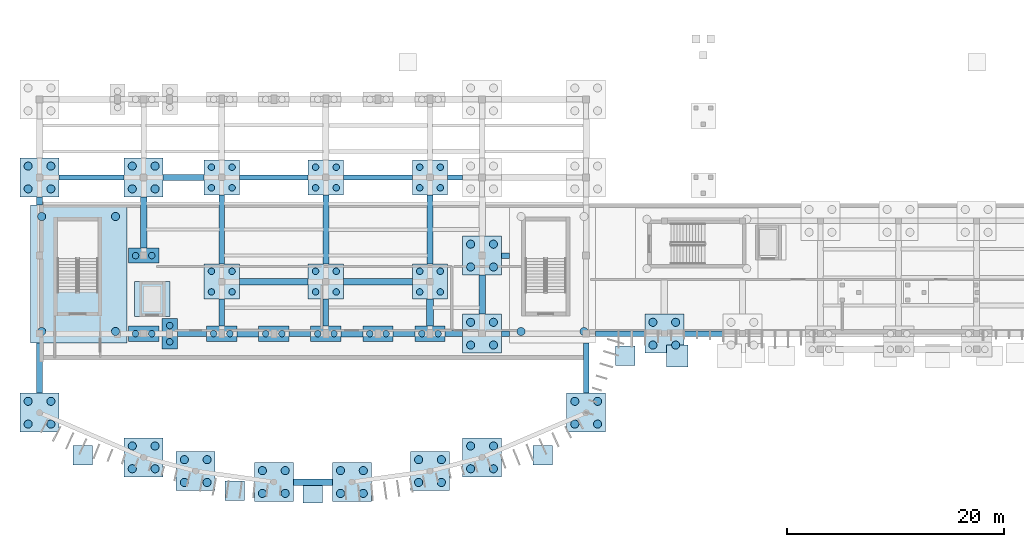
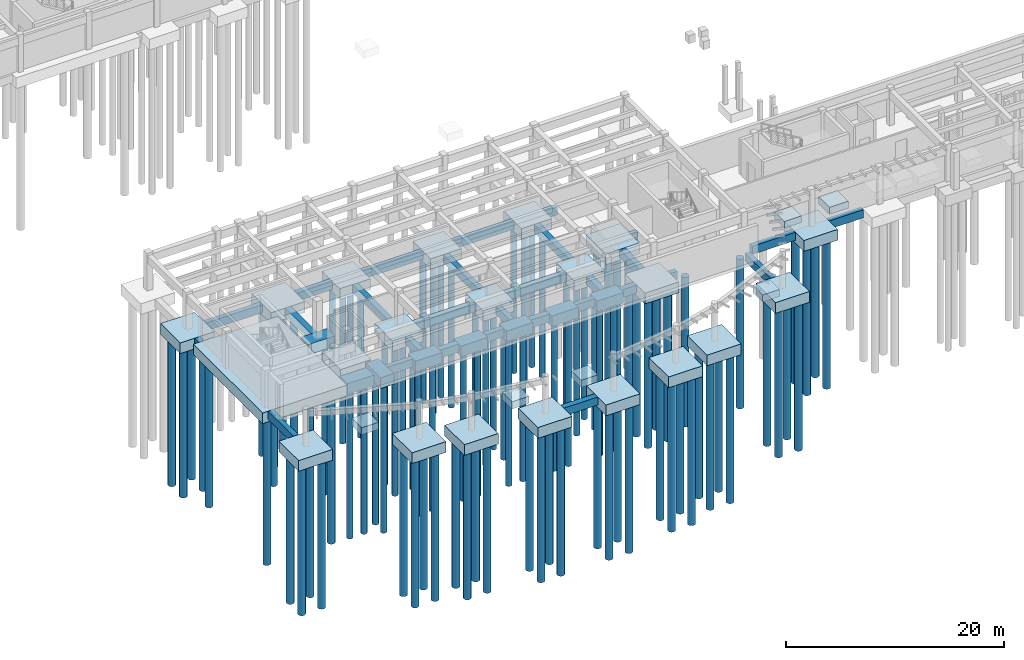
# One storey, part 1 of 31: 98 piles, 64 footings.
"""IFC4 building model written with IfcOpenShell, lengths in metres."""

from ifc_helpers import new_model, si_unit, direction, frame, origin, origin_2d, place, context, subcontext, project, spatial, rectangle, circle, extrude, material, material_profile, profile_set, type_object, element, save


model = new_model("IFC4")

# Units and contexts
model_context = context("Model", 3, precision=1e-05, world=origin(), true_north=direction((0.0, 1.0)))
body_context = subcontext(model_context, "Body", "Model", "MODEL_VIEW")
ifc_project = project(units=[si_unit("LENGTHUNIT", "METRE"), si_unit("AREAUNIT", "SQUARE_METRE"), si_unit("VOLUMEUNIT", "CUBIC_METRE"), si_unit("PLANEANGLEUNIT", "RADIAN"), si_unit("MASSUNIT", "GRAM", prefix="KILO")], contexts=[model_context])

# Site, building, storey
site_placement = place(None, origin())
site = spatial("IfcSite", under=ifc_project, at=site_placement, CompositionType="ELEMENT")
building_placement = place(site_placement, origin())
building = spatial("IfcBuilding", under=site, at=building_placement, Name="Brisavento Harbour Community Centre", CompositionType="ELEMENT")
storey_placement = place(building_placement, frame((0.0, 0.0, -4.199951171875)))
storey = spatial("IfcBuildingStorey", under=building, at=storey_placement, Name="B1", CompositionType="ELEMENT", Elevation=-4.199951171875)

# Footings
ifc_material = material(Name="Concrete C35/45", Category="concrete")
footing_type_1 = type_object("IfcFootingType", Name="FTG-GB-01", PredefinedType="FOOTING_BEAM", material=ifc_material)
footing_1_placement = place(storey_placement, frame((50.39990234375, 11.232177734375, -0.89990234375), z_axis=(0.0, 0.0, 1.0), x_axis=(1.0, 0.0, 0.0)))
element("IfcFooting", 1, at=footing_1_placement, inside=storey, type_object=footing_type_1, Name="Ground tie beam GB-003", PredefinedType="FOOTING_BEAM", context=body_context, shape_type="SweptSolid", body=[
    extrude(rectangle(XDim=0.5, YDim=4.6357421875, at=origin_2d()), origin(), (0.0, 0.0, 1.0), 0.89990234375),
])
footing_2_placement = place(storey_placement, frame((4.800048828125, 28.800048828125, -0.89990234375), z_axis=(0.0, 0.0, 1.0), x_axis=(1.0, 0.0, 0.0)))
element("IfcFooting", 2, at=footing_2_placement, inside=storey, type_object=footing_type_1, Name="Ground tie beam GB-006", PredefinedType="FOOTING_BEAM", context=body_context, shape_type="SweptSolid", body=[
    extrude(rectangle(XDim=6.0, YDim=0.5, at=origin_2d()), origin(), (0.0, 0.0, 1.0), 0.89990234375),
])
for number, where, z_axis, x_axis, name in (
    (3, (42.97509765625, 14.39990234375, -0.89990234375), (0.0, 0.0, 1.0), (1.0, 0.0, 0.0), "Ground tie beam GB-012"),
    (4, (42.97509765625, 21.60009765625, -0.89990234375), (0.0, 0.0, 1.0), (1.0, 0.0, 0.0), "Ground tie beam GB-015"),
):
    element("IfcFooting", number, at=place(storey_placement, frame(where, z_axis=z_axis, x_axis=x_axis)), inside=storey, type_object=footing_type_1, Name=name, PredefinedType="FOOTING_BEAM", context=body_context, shape_type="SweptSolid", body=[
        extrude(rectangle(XDim=0.75, YDim=0.5, at=origin_2d()), origin(), (0.0, 0.0, 1.0), 0.89990234375),
    ])
footing_3_placement = place(storey_placement, frame((38.3125, 28.800048828125, -0.89990234375), z_axis=(0.0, 0.0, 1.0), x_axis=(1.0, 0.0, 0.0)))
element("IfcFooting", 5, at=footing_3_placement, inside=storey, type_object=footing_type_1, Name="Ground tie beam GB-018", PredefinedType="FOOTING_BEAM", context=body_context, shape_type="SweptSolid", body=[
    extrude(rectangle(XDim=1.375, YDim=0.5, at=origin_2d()), origin(), (0.0, 0.0, 1.0), 0.89990234375),
])
footing_4_placement = place(storey_placement, frame((53.52490234375, 14.39990234375, -0.89990234375), z_axis=(0.0, 0.0, 1.0), x_axis=(1.0, 0.0, 0.0)))
element("IfcFooting", 6, at=footing_4_placement, inside=storey, type_object=footing_type_1, Name="Ground tie beam GB-021", PredefinedType="FOOTING_BEAM", context=body_context, shape_type="SweptSolid", body=[
    extrude(rectangle(XDim=4.550048828125, YDim=0.5, at=origin_2d()), origin(), (0.0, 0.0, 1.0), 0.89990234375),
])
footing_5_placement = place(storey_placement, frame((14.050048828125, 14.39990234375, -0.89990234375), z_axis=(0.0, 0.0, 1.0), x_axis=(1.0, 0.0, 0.0)))
element("IfcFooting", 7, at=footing_5_placement, inside=storey, type_object=footing_type_1, Name="Ground tie beam GB-024", PredefinedType="FOOTING_BEAM", context=body_context, shape_type="SweptSolid", body=[
    extrude(rectangle(XDim=2.699951171875, YDim=0.5, at=origin_2d()), origin(), (0.0, 0.0, 1.0), 0.89990234375),
])
footing_6_placement = place(storey_placement, frame((16.800048828125, 16.33740234375, -0.89990234375), z_axis=(0.0, 0.0, 1.0), x_axis=(1.0, 0.0, 0.0)))
element("IfcFooting", 8, at=footing_6_placement, inside=storey, type_object=footing_type_1, Name="Ground tie beam GB-027", PredefinedType="FOOTING_BEAM", context=body_context, shape_type="SweptSolid", body=[
    extrude(rectangle(XDim=0.5, YDim=2.47509765625, at=origin_2d()), origin(), (0.0, 0.0, 1.0), 0.89990234375),
])
footing_7_placement = place(storey_placement, frame((24.0, 14.39990234375, -0.89990234375), z_axis=(0.0, 0.0, 1.0), x_axis=(1.0, 0.0, 0.0)))
element("IfcFooting", 9, at=footing_7_placement, inside=storey, type_object=footing_type_1, Name="Ground tie beam GB-030", PredefinedType="FOOTING_BEAM", context=body_context, shape_type="SweptSolid", body=[
    extrude(rectangle(XDim=2.0, YDim=0.5, at=origin_2d()), origin(), (0.0, 0.0, 1.0), 0.89990234375),
])
footing_8_placement = place(storey_placement, frame((26.39990234375, 16.33740234375, -0.89990234375), z_axis=(0.0, 0.0, 1.0), x_axis=(1.0, 0.0, 0.0)))
element("IfcFooting", 10, at=footing_8_placement, inside=storey, type_object=footing_type_1, Name="Ground tie beam GB-033", PredefinedType="FOOTING_BEAM", context=body_context, shape_type="SweptSolid", body=[
    extrude(rectangle(XDim=0.5, YDim=2.47509765625, at=origin_2d()), origin(), (0.0, 0.0, 1.0), 0.89990234375),
])
footing_9_placement = place(storey_placement, frame((33.60009765625, 14.39990234375, -0.89990234375), z_axis=(0.0, 0.0, 1.0), x_axis=(1.0, 0.0, 0.0)))
element("IfcFooting", 11, at=footing_9_placement, inside=storey, type_object=footing_type_1, Name="Ground tie beam GB-036", PredefinedType="FOOTING_BEAM", context=body_context, shape_type="SweptSolid", body=[
    extrude(rectangle(XDim=2.0, YDim=0.5, at=origin_2d()), origin(), (0.0, 0.0, 1.0), 0.89990234375),
])
for number, where, z_axis, x_axis, name in (
    (12, (21.60009765625, 28.800048828125, -0.89990234375), (0.0, 0.0, 1.0), (1.0, 0.0, 0.0), "Ground tie beam GB-042"),
    (13, (31.199951171875, 28.800048828125, -0.89990234375), (0.0, 0.0, 1.0), (1.0, 0.0, 0.0), "Ground tie beam GB-045"),
):
    element("IfcFooting", number, at=place(storey_placement, frame(where, z_axis=z_axis, x_axis=x_axis)), inside=storey, type_object=footing_type_1, Name=name, PredefinedType="FOOTING_BEAM", context=body_context, shape_type="SweptSolid", body=[
        extrude(rectangle(XDim=6.35009765625, YDim=0.5, at=origin_2d()), origin(), (0.0, 0.0, 1.0), 0.89990234375),
    ])
footing_10_placement = place(storey_placement, frame((61.199951171875, 14.39990234375, -0.89990234375), z_axis=(0.0, 0.0, 1.0), x_axis=(1.0, 0.0, 0.0)))
element("IfcFooting", 14, at=footing_10_placement, inside=storey, type_object=footing_type_1, Name="Ground tie beam GB-048", PredefinedType="FOOTING_BEAM", context=body_context, shape_type="SweptSolid", body=[
    extrude(rectangle(XDim=3.60009765625, YDim=0.5, at=origin_2d()), origin(), (0.0, 0.0, 1.0), 0.89990234375),
])
footing_type_2 = type_object("IfcFootingType", Name="FTG-GB-02", PredefinedType="FOOTING_BEAM", material=ifc_material)
footing_11_placement = place(storey_placement, frame((0.0, 11.232177734375, -0.89990234375), z_axis=(0.0, 0.0, 1.0), x_axis=(1.0, 0.0, 0.0)))
element("IfcFooting", 15, at=footing_11_placement, inside=storey, type_object=footing_type_2, Name="Ground tie beam GB-001", PredefinedType="FOOTING_BEAM", context=body_context, shape_type="SweptSolid", body=[
    extrude(rectangle(XDim=0.550048828125, YDim=4.6357421875, at=origin_2d()), origin(), (0.0, 0.0, 1.0), 0.89990234375),
])
footing_12_placement = place(storey_placement, frame((0.0, 26.625, -0.89990234375), z_axis=(0.0, 0.0, 1.0), x_axis=(1.0, 0.0, 0.0)))
element("IfcFooting", 16, at=footing_12_placement, inside=storey, type_object=footing_type_2, Name="Ground tie beam GB-004", PredefinedType="FOOTING_BEAM", context=body_context, shape_type="SweptSolid", body=[
    extrude(rectangle(XDim=0.550048828125, YDim=0.75, at=origin_2d()), origin(), (0.0, 0.0, 1.0), 0.89990234375),
])
footing_13_placement = place(storey_placement, frame((13.28759765625, 28.800048828125, -0.89990234375), z_axis=(0.0, 0.0, 1.0), x_axis=(1.0, 0.0, 0.0)))
element("IfcFooting", 17, at=footing_13_placement, inside=storey, type_object=footing_type_2, Name="Ground tie beam GB-010", PredefinedType="FOOTING_BEAM", context=body_context, shape_type="SweptSolid", body=[
    extrude(rectangle(XDim=3.77490234375, YDim=0.550048828125, at=origin_2d()), origin(), (0.0, 0.0, 1.0), 0.89990234375),
])
footing_14_placement = place(storey_placement, frame((38.199951171875, 14.39990234375, -0.89990234375), z_axis=(0.0, 0.0, 1.0), x_axis=(1.0, 0.0, 0.0)))
element("IfcFooting", 18, at=footing_14_placement, inside=storey, type_object=footing_type_2, Name="Ground tie beam GB-013", PredefinedType="FOOTING_BEAM", context=body_context, shape_type="SweptSolid", body=[
    extrude(rectangle(XDim=1.60009765625, YDim=0.550048828125, at=origin_2d()), origin(), (0.0, 0.0, 1.0), 0.89990234375),
])
for number, where, z_axis, x_axis, name in (
    (19, (16.800048828125, 24.0, -0.89990234375), (0.0, 0.0, 1.0), (1.0, 0.0, 0.0), "Ground tie beam GB-040"),
    (20, (26.39990234375, 24.0, -0.89990234375), (0.0, 0.0, 1.0), (1.0, 0.0, 0.0), "Ground tie beam GB-043"),
    (21, (36.0, 24.0, -0.89990234375), (0.0, 0.0, 1.0), (1.0, 0.0, 0.0), "Ground tie beam GB-046"),
):
    element("IfcFooting", number, at=place(storey_placement, frame(where, z_axis=z_axis, x_axis=x_axis)), inside=storey, type_object=footing_type_2, Name=name, PredefinedType="FOOTING_BEAM", context=body_context, shape_type="SweptSolid", body=[
        extrude(rectangle(XDim=0.550048828125, YDim=6.35009765625, at=origin_2d()), origin(), (0.0, 0.0, 1.0), 0.89990234375),
    ])
footing_type_3 = type_object("IfcFootingType", Name="FTG-GB-03", PredefinedType="FOOTING_BEAM", material=ifc_material)
footing_15_placement = place(storey_placement, frame((25.199951171875, 0.724853515625, -0.89990234375), z_axis=(0.0, 0.0, 1.0), x_axis=(1.0, 0.0, 0.0)))
element("IfcFooting", 22, at=footing_15_placement, inside=storey, type_object=footing_type_3, Name="Ground tie beam GB-002", PredefinedType="FOOTING_BEAM", context=body_context, shape_type="SweptSolid", body=[
    extrude(rectangle(XDim=3.60009765625, YDim=0.60009765625, at=origin_2d()), origin(), (0.0, 0.0, 1.0), 0.89990234375),
])
footing_16_placement = place(storey_placement, frame((9.60009765625, 24.64990234375, -0.89990234375), z_axis=(0.0, 0.0, 1.0), x_axis=(1.0, 0.0, 0.0)))
element("IfcFooting", 23, at=footing_16_placement, inside=storey, type_object=footing_type_3, Name="Ground tie beam GB-008", PredefinedType="FOOTING_BEAM", context=body_context, shape_type="SweptSolid", body=[
    extrude(rectangle(XDim=0.60009765625, YDim=4.699951171875, at=origin_2d()), origin(), (0.0, 0.0, 1.0), 0.89990234375),
])
footing_17_placement = place(storey_placement, frame((40.800048828125, 18.0, -0.89990234375), z_axis=(0.0, 0.0, 1.0), x_axis=(1.0, 0.0, 0.0)))
element("IfcFooting", 24, at=footing_17_placement, inside=storey, type_object=footing_type_3, Name="Ground tie beam GB-011", PredefinedType="FOOTING_BEAM", context=body_context, shape_type="SweptSolid", body=[
    extrude(rectangle(XDim=0.60009765625, YDim=3.60009765625, at=origin_2d()), origin(), (0.0, 0.0, 1.0), 0.89990234375),
])
for number, where, z_axis, x_axis, name in (
    (25, (19.199951171875, 14.39990234375, -0.89990234375), (0.0, 0.0, 1.0), (1.0, 0.0, 0.0), "Ground tie beam GB-026"),
    (26, (28.800048828125, 14.39990234375, -0.89990234375), (0.0, 0.0, 1.0), (1.0, 0.0, 0.0), "Ground tie beam GB-032"),
):
    element("IfcFooting", number, at=place(storey_placement, frame(where, z_axis=z_axis, x_axis=x_axis)), inside=storey, type_object=footing_type_3, Name=name, PredefinedType="FOOTING_BEAM", context=body_context, shape_type="SweptSolid", body=[
        extrude(rectangle(XDim=2.0, YDim=0.60009765625, at=origin_2d()), origin(), (0.0, 0.0, 1.0), 0.89990234375),
    ])
footing_18_placement = place(storey_placement, frame((36.0, 16.33740234375, -0.89990234375), z_axis=(0.0, 0.0, 1.0), x_axis=(1.0, 0.0, 0.0)))
element("IfcFooting", 27, at=footing_18_placement, inside=storey, type_object=footing_type_3, Name="Ground tie beam GB-038", PredefinedType="FOOTING_BEAM", context=body_context, shape_type="SweptSolid", body=[
    extrude(rectangle(XDim=0.60009765625, YDim=2.47509765625, at=origin_2d()), origin(), (0.0, 0.0, 1.0), 0.89990234375),
])
for number, where, z_axis, x_axis, name in (
    (28, (21.60009765625, 19.199951171875, -0.89990234375), (0.0, 0.0, 1.0), (1.0, 0.0, 0.0), "Ground tie beam GB-041"),
    (29, (31.199951171875, 19.199951171875, -0.89990234375), (0.0, 0.0, 1.0), (1.0, 0.0, 0.0), "Ground tie beam GB-044"),
):
    element("IfcFooting", number, at=place(storey_placement, frame(where, z_axis=z_axis, x_axis=x_axis)), inside=storey, type_object=footing_type_3, Name=name, PredefinedType="FOOTING_BEAM", context=body_context, shape_type="SweptSolid", body=[
        extrude(rectangle(XDim=6.35009765625, YDim=0.60009765625, at=origin_2d()), origin(), (0.0, 0.0, 1.0), 0.89990234375),
    ])
footing_type_4 = type_object("IfcFootingType", Name="FTG-LP-LC-01", PredefinedType="PILE_CAP", material=ifc_material)
footing_19_placement = place(storey_placement, frame((10.39990234375, 17.60009765625, -1.2001953125), z_axis=(0.0, 0.0, 1.0), x_axis=(1.0, 0.0, 0.0)))
element("IfcFooting", 30, at=footing_19_placement, inside=storey, type_object=footing_type_4, Name="Lift LC-01 shaft pit foundation", PredefinedType="PILE_CAP", context=body_context, shape_type="SweptSolid", body=[
    extrude(rectangle(XDim=3.25, YDim=3.25, at=origin_2d()), origin(), (0.0, 0.0, 1.0), 1.199951171875),
])
footing_type_5 = type_object("IfcFootingType", Name="FTG-MAT-C1", PredefinedType="PILE_CAP", material=ifc_material)
footing_20_placement = place(storey_placement, frame((3.60009765625, 19.89990234375, -1.2001953125), z_axis=(0.0, 0.0, 1.0), x_axis=(1.0, 0.0, 0.0)))
element("IfcFooting", 31, at=footing_20_placement, inside=storey, type_object=footing_type_5, Name="Stair core C1 mat pile cap", PredefinedType="PILE_CAP", context=body_context, shape_type="SweptSolid", body=[
    extrude(rectangle(XDim=8.89990234375, YDim=12.699951171875, at=origin_2d()), origin(), (0.0, 0.0, 1.0), 1.199951171875),
])
footing_type_6 = type_object("IfcFootingType", Name="FTG-PC-2A", PredefinedType="PILE_CAP", material=ifc_material)
for number, where, z_axis, x_axis, name in (
    (32, (9.60009765625, 14.39990234375, -1.2001953125), (0.0, 0.0, 1.0), (1.0, 0.0, 0.0), "Pile cap PC-013"),
    (33, (9.60009765625, 21.60009765625, -1.2001953125), (0.0, 0.0, 1.0), (1.0, 0.0, 0.0), "Pile cap PC-014"),
):
    element("IfcFooting", number, at=place(storey_placement, frame(where, z_axis=z_axis, x_axis=x_axis)), inside=storey, type_object=footing_type_6, Name=name, PredefinedType="PILE_CAP", context=body_context, shape_type="SweptSolid", body=[
        extrude(rectangle(XDim=2.800048828125, YDim=1.39990234375, at=origin_2d()), origin(), (0.0, 0.0, 1.0), 1.199951171875),
    ])
footing_21_placement = place(storey_placement, frame((12.0, 14.39990234375, -1.2001953125), z_axis=(0.0, 0.0, 1.0), x_axis=(1.0, 0.0, 0.0)))
element("IfcFooting", 34, at=footing_21_placement, inside=storey, type_object=footing_type_6, Name="Pile cap PC-027", PredefinedType="PILE_CAP", context=body_context, shape_type="SweptSolid", body=[
    extrude(rectangle(XDim=1.39990234375, YDim=2.800048828125, at=origin_2d()), origin(), (0.0, 0.0, 1.0), 1.199951171875),
])
for number, where, z_axis, x_axis, name in (
    (35, (16.800048828125, 14.39990234375, -1.2001953125), (0.0, 0.0, 1.0), (1.0, 0.0, 0.0), "Pile cap PC-029"),
    (36, (21.60009765625, 14.39990234375, -1.2001953125), (0.0, 0.0, 1.0), (1.0, 0.0, 0.0), "Pile cap PC-031"),
    (37, (26.39990234375, 14.39990234375, -1.2001953125), (0.0, 0.0, 1.0), (1.0, 0.0, 0.0), "Pile cap PC-033"),
    (38, (31.199951171875, 14.39990234375, -1.2001953125), (0.0, 0.0, 1.0), (1.0, 0.0, 0.0), "Pile cap PC-035"),
    (39, (36.0, 14.39990234375, -1.2001953125), (0.0, 0.0, 1.0), (1.0, 0.0, 0.0), "Pile cap PC-037"),
):
    element("IfcFooting", number, at=place(storey_placement, frame(where, z_axis=z_axis, x_axis=x_axis)), inside=storey, type_object=footing_type_6, Name=name, PredefinedType="PILE_CAP", context=body_context, shape_type="SweptSolid", body=[
        extrude(rectangle(XDim=2.800048828125, YDim=1.39990234375, at=origin_2d()), origin(), (0.0, 0.0, 1.0), 1.199951171875),
    ])
footing_type_7 = type_object("IfcFootingType", Name="FTG-PC-4A", PredefinedType="PILE_CAP", material=ifc_material)
for number, where, z_axis, x_axis, name in (
    (40, (16.800048828125, 19.199951171875, -1.2001953125), (0.0, 0.0, 1.0), (1.0, 0.0, 0.0), "Pile cap PC-039"),
    (41, (16.800048828125, 28.800048828125, -1.2001953125), (0.0, 0.0, 1.0), (1.0, 0.0, 0.0), "Pile cap PC-040"),
    (42, (26.39990234375, 19.199951171875, -1.2001953125), (0.0, 0.0, 1.0), (1.0, 0.0, 0.0), "Pile cap PC-041"),
    (43, (26.39990234375, 28.800048828125, -1.2001953125), (0.0, 0.0, 1.0), (1.0, 0.0, 0.0), "Pile cap PC-042"),
    (44, (36.0, 19.199951171875, -1.2001953125), (0.0, 0.0, 1.0), (1.0, 0.0, 0.0), "Pile cap PC-043"),
    (45, (36.0, 28.800048828125, -1.2001953125), (0.0, 0.0, 1.0), (1.0, 0.0, 0.0), "Pile cap PC-044"),
):
    element("IfcFooting", number, at=place(storey_placement, frame(where, z_axis=z_axis, x_axis=x_axis)), inside=storey, type_object=footing_type_7, Name=name, PredefinedType="PILE_CAP", context=body_context, shape_type="SweptSolid", body=[
        extrude(rectangle(XDim=3.25, YDim=3.25, at=origin_2d()), origin(), (0.0, 0.0, 1.0), 1.199951171875),
    ])
footing_type_8 = type_object("IfcFootingType", Name="FTG-PC-4B", PredefinedType="PILE_CAP", material=ifc_material)
for number, where, z_axis, x_axis, name in (
    (46, (0.0, 7.1142578125, -1.2001953125), (0.0, 0.0, 1.0), (1.0, 0.0, 0.0), "Pile cap PC-001"),
    (47, (9.60009765625, 2.9951171875, -1.2001953125), (0.0, 0.0, 1.0), (1.0, 0.0, 0.0), "Pile cap PC-002"),
    (48, (14.39990234375, 1.73388671875, -1.2001953125), (0.0, 0.0, 1.0), (1.0, 0.0, 0.0), "Pile cap PC-003"),
    (49, (21.60009765625, 0.724853515625, -1.2001953125), (0.0, 0.0, 1.0), (1.0, 0.0, 0.0), "Pile cap PC-004"),
    (50, (28.800048828125, 0.724853515625, -1.2001953125), (0.0, 0.0, 1.0), (1.0, 0.0, 0.0), "Pile cap PC-005"),
    (51, (36.0, 1.73388671875, -1.2001953125), (0.0, 0.0, 1.0), (1.0, 0.0, 0.0), "Pile cap PC-006"),
    (52, (40.800048828125, 2.9951171875, -1.2001953125), (0.0, 0.0, 1.0), (1.0, 0.0, 0.0), "Pile cap PC-007"),
    (53, (50.39990234375, 7.1142578125, -1.2001953125), (0.0, 0.0, 1.0), (1.0, 0.0, 0.0), "Pile cap PC-008"),
    (54, (0.0, 28.800048828125, -1.2001953125), (0.0, 0.0, 1.0), (1.0, 0.0, 0.0), "Pile cap PC-011"),
    (55, (9.60009765625, 28.800048828125, -1.2001953125), (0.0, 0.0, 1.0), (1.0, 0.0, 0.0), "Pile cap PC-015"),
    (56, (40.800048828125, 14.39990234375, -1.2001953125), (0.0, 0.0, 1.0), (1.0, 0.0, 0.0), "Pile cap PC-017"),
    (57, (40.800048828125, 21.60009765625, -1.2001953125), (0.0, 0.0, 1.0), (1.0, 0.0, 0.0), "Pile cap PC-018"),
    (58, (57.60009765625, 14.39990234375, -1.2001953125), (0.0, 0.0, 1.0), (1.0, 0.0, 0.0), "Pile cap PC-045"),
):
    element("IfcFooting", number, at=place(storey_placement, frame(where, z_axis=z_axis, x_axis=x_axis)), inside=storey, type_object=footing_type_8, Name=name, PredefinedType="PILE_CAP", context=body_context, shape_type="SweptSolid", body=[
        extrude(rectangle(XDim=3.60009765625, YDim=3.60009765625, at=origin_2d()), origin(), (0.0, 0.0, 1.0), 1.199951171875),
    ])
footing_type_9 = type_object("IfcFootingType", Name="FTG-PF-01", PredefinedType="PAD_FOOTING", material=ifc_material)
footing_22_placement = place(storey_placement, frame((54.0, 12.35009765625, 3.030029296875), z_axis=(0.0, 0.0, 1.0), x_axis=(1.0, 0.0, 0.0)))
element("IfcFooting", 59, at=footing_22_placement, inside=storey, type_object=footing_type_9, Name="Colonnade pad footing 1", PredefinedType="PAD_FOOTING", context=body_context, shape_type="SweptSolid", body=[
    extrude(rectangle(XDim=1.800048828125, YDim=1.800048828125, at=origin_2d()), origin(), (0.0, 0.0, 1.0), 0.75),
])
footing_type_10 = type_object("IfcFootingType", Name="FTG-PF-02", PredefinedType="PAD_FOOTING", material=ifc_material)
footing_23_placement = place(storey_placement, frame((58.800048828125, 12.35009765625, 2.97998046875), z_axis=(0.0, 0.0, 1.0), x_axis=(1.0, 0.0, 0.0)))
element("IfcFooting", 60, at=footing_23_placement, inside=storey, type_object=footing_type_10, Name="Colonnade pad footing 2", PredefinedType="PAD_FOOTING", context=body_context, shape_type="SweptSolid", body=[
    extrude(rectangle(XDim=2.0, YDim=2.0, at=origin_2d()), origin(), (0.0, 0.0, 1.0), 0.800048828125),
])
footing_type_11 = type_object("IfcFootingType", Name="FTG-PF-05", PredefinedType="PAD_FOOTING", material=ifc_material)
for number, where, z_axis, x_axis, name in (
    (61, (4.0, 3.199951171875, 2.97998046875), (0.0, 0.0, 1.0), (1.0, 0.0, 0.0), "Colonnade plinth pad footing V1-1"),
    (62, (25.199951171875, -0.300048828125, 2.97998046875), (0.0, 0.0, 1.0), (1.0, 0.0, 0.0), "Colonnade plinth pad footing V1-2"),
    (63, (46.39990234375, 3.199951171875, 2.97998046875), (0.0, 0.0, 1.0), (1.0, 0.0, 0.0), "Colonnade plinth pad footing V1-3"),
    (64, (18.0, -0.10009765625, 2.97998046875), (0.0, 0.0, 1.0), (1.0, 0.0, 0.0), "Colonnade plinth pad footing V1-4"),
):
    element("IfcFooting", number, at=place(storey_placement, frame(where, z_axis=z_axis, x_axis=x_axis)), inside=storey, type_object=footing_type_11, Name=name, PredefinedType="PAD_FOOTING", context=body_context, shape_type="SweptSolid", body=[
        extrude(rectangle(XDim=1.800048828125, YDim=1.800048828125, at=origin_2d()), origin(), (0.0, 0.0, 1.0), 0.800048828125),
    ])

# Piles
ifc_material_profile_1 = material_profile(ifc_material, circle(Radius=0.300048828125, at=origin_2d()), Name="Concrete C35/45")
ifc_profile_set_1 = profile_set([ifc_material_profile_1], Name="Concrete C35/45")
pile_type_1 = type_object("IfcPileType", Name="PILE-600", PredefinedType="BORED", material=ifc_profile_set_1)
for number, where, z_axis, x_axis, name in (
    (65, (8.85009765625, 14.39990234375, -1.10009765625), (0.0, 0.0, -1.0), (1.0, 0.0, 0.0), "Bored pile PC-013-P1"),
    (66, (10.35009765625, 14.39990234375, -1.10009765625), (0.0, 0.0, -1.0), (1.0, 0.0, 0.0), "Bored pile PC-013-P2"),
    (67, (8.85009765625, 21.60009765625, -1.10009765625), (0.0, 0.0, -1.0), (1.0, 0.0, 0.0), "Bored pile PC-014-P1"),
    (68, (10.35009765625, 21.60009765625, -1.10009765625), (0.0, 0.0, -1.0), (1.0, 0.0, 0.0), "Bored pile PC-014-P2"),
    (69, (12.0, 13.64990234375, -1.10009765625), (0.0, 0.0, -1.0), (1.0, 0.0, 0.0), "Bored pile PC-027-P1"),
    (70, (12.0, 15.14990234375, -1.10009765625), (0.0, 0.0, -1.0), (1.0, 0.0, 0.0), "Bored pile PC-027-P2"),
    (71, (16.050048828125, 14.39990234375, -1.10009765625), (0.0, 0.0, -1.0), (1.0, 0.0, 0.0), "Bored pile PC-029-P1"),
    (72, (17.550048828125, 14.39990234375, -1.10009765625), (0.0, 0.0, -1.0), (1.0, 0.0, 0.0), "Bored pile PC-029-P2"),
    (73, (20.85009765625, 14.39990234375, -1.10009765625), (0.0, 0.0, -1.0), (1.0, 0.0, 0.0), "Bored pile PC-031-P1"),
    (74, (22.35009765625, 14.39990234375, -1.10009765625), (0.0, 0.0, -1.0), (1.0, 0.0, 0.0), "Bored pile PC-031-P2"),
    (75, (25.64990234375, 14.39990234375, -1.10009765625), (0.0, 0.0, -1.0), (1.0, 0.0, 0.0), "Bored pile PC-033-P1"),
    (76, (27.14990234375, 14.39990234375, -1.10009765625), (0.0, 0.0, -1.0), (1.0, 0.0, 0.0), "Bored pile PC-033-P2"),
    (77, (30.449951171875, 14.39990234375, -1.10009765625), (0.0, 0.0, -1.0), (1.0, 0.0, 0.0), "Bored pile PC-035-P1"),
    (78, (31.949951171875, 14.39990234375, -1.10009765625), (0.0, 0.0, -1.0), (1.0, 0.0, 0.0), "Bored pile PC-035-P2"),
    (79, (35.25, 14.39990234375, -1.10009765625), (0.0, 0.0, -1.0), (1.0, 0.0, 0.0), "Bored pile PC-037-P1"),
    (80, (36.75, 14.39990234375, -1.10009765625), (0.0, 0.0, -1.0), (1.0, 0.0, 0.0), "Bored pile PC-037-P2"),
    (81, (15.85009765625, 18.25, -1.10009765625), (0.0, 0.0, -1.0), (1.0, 0.0, 0.0), "Bored pile PC-039-P1"),
    (82, (17.75, 18.25, -1.10009765625), (0.0, 0.0, -1.0), (1.0, 0.0, 0.0), "Bored pile PC-039-P2"),
    (83, (15.85009765625, 20.14990234375, -1.10009765625), (0.0, 0.0, -1.0), (1.0, 0.0, 0.0), "Bored pile PC-039-P3"),
    (84, (17.75, 20.14990234375, -1.10009765625), (0.0, 0.0, -1.0), (1.0, 0.0, 0.0), "Bored pile PC-039-P4"),
    (85, (15.85009765625, 27.85009765625, -1.10009765625), (0.0, 0.0, -1.0), (1.0, 0.0, 0.0), "Bored pile PC-040-P1"),
    (86, (17.75, 27.85009765625, -1.10009765625), (0.0, 0.0, -1.0), (1.0, 0.0, 0.0), "Bored pile PC-040-P2"),
    (87, (15.85009765625, 29.75, -1.10009765625), (0.0, 0.0, -1.0), (1.0, 0.0, 0.0), "Bored pile PC-040-P3"),
    (88, (17.75, 29.75, -1.10009765625), (0.0, 0.0, -1.0), (1.0, 0.0, 0.0), "Bored pile PC-040-P4"),
    (89, (25.449951171875, 18.25, -1.10009765625), (0.0, 0.0, -1.0), (1.0, 0.0, 0.0), "Bored pile PC-041-P1"),
    (90, (27.35009765625, 18.25, -1.10009765625), (0.0, 0.0, -1.0), (1.0, 0.0, 0.0), "Bored pile PC-041-P2"),
    (91, (25.449951171875, 20.14990234375, -1.10009765625), (0.0, 0.0, -1.0), (1.0, 0.0, 0.0), "Bored pile PC-041-P3"),
    (92, (27.35009765625, 20.14990234375, -1.10009765625), (0.0, 0.0, -1.0), (1.0, 0.0, 0.0), "Bored pile PC-041-P4"),
    (93, (25.449951171875, 27.85009765625, -1.10009765625), (0.0, 0.0, -1.0), (1.0, 0.0, 0.0), "Bored pile PC-042-P1"),
    (94, (27.35009765625, 27.85009765625, -1.10009765625), (0.0, 0.0, -1.0), (1.0, 0.0, 0.0), "Bored pile PC-042-P2"),
    (95, (25.449951171875, 29.75, -1.10009765625), (0.0, 0.0, -1.0), (1.0, 0.0, 0.0), "Bored pile PC-042-P3"),
    (96, (27.35009765625, 29.75, -1.10009765625), (0.0, 0.0, -1.0), (1.0, 0.0, 0.0), "Bored pile PC-042-P4"),
    (97, (35.050048828125, 18.25, -1.10009765625), (0.0, 0.0, -1.0), (1.0, 0.0, 0.0), "Bored pile PC-043-P1"),
    (98, (36.949951171875, 18.25, -1.10009765625), (0.0, 0.0, -1.0), (1.0, 0.0, 0.0), "Bored pile PC-043-P2"),
    (99, (35.050048828125, 20.14990234375, -1.10009765625), (0.0, 0.0, -1.0), (1.0, 0.0, 0.0), "Bored pile PC-043-P3"),
    (100, (36.949951171875, 20.14990234375, -1.10009765625), (0.0, 0.0, -1.0), (1.0, 0.0, 0.0), "Bored pile PC-043-P4"),
    (101, (35.050048828125, 27.85009765625, -1.10009765625), (0.0, 0.0, -1.0), (1.0, 0.0, 0.0), "Bored pile PC-044-P1"),
    (102, (36.949951171875, 27.85009765625, -1.10009765625), (0.0, 0.0, -1.0), (1.0, 0.0, 0.0), "Bored pile PC-044-P2"),
    (103, (35.050048828125, 29.75, -1.10009765625), (0.0, 0.0, -1.0), (1.0, 0.0, 0.0), "Bored pile PC-044-P3"),
    (104, (36.949951171875, 29.75, -1.10009765625), (0.0, 0.0, -1.0), (1.0, 0.0, 0.0), "Bored pile PC-044-P4"),
):
    element("IfcPile", number, at=place(storey_placement, frame(where, z_axis=z_axis, x_axis=x_axis)), inside=storey, type_object=pile_type_1, Name=name, PredefinedType="BORED", context=body_context, shape_type="SweptSolid", body=[
        extrude(circle(Radius=0.300048828125, at=origin_2d()), origin(), (0.0, 0.0, 1.0), 16.699951171875),
    ])
ifc_material_profile_2 = material_profile(ifc_material, circle(Radius=0.375, at=origin_2d()), Name="Concrete C35/45")
ifc_profile_set_2 = profile_set([ifc_material_profile_2], Name="Concrete C35/45")
pile_type_2 = type_object("IfcPileType", Name="PILE-750", PredefinedType="BORED", material=ifc_profile_set_2)
for number, where, z_axis, x_axis, name in (
    (105, (0.199951171875, 14.60009765625, -1.10009765625), (0.0, 0.0, -1.0), (1.0, 0.0, 0.0), "Core C1 bored pile P1"),
    (106, (7.0, 14.60009765625, -1.10009765625), (0.0, 0.0, -1.0), (1.0, 0.0, 0.0), "Core C1 bored pile P2"),
    (107, (0.199951171875, 25.199951171875, -1.10009765625), (0.0, 0.0, -1.0), (1.0, 0.0, 0.0), "Core C1 bored pile P3"),
    (108, (7.0, 25.199951171875, -1.10009765625), (0.0, 0.0, -1.0), (1.0, 0.0, 0.0), "Core C1 bored pile P4"),
    (109, (44.39990234375, 14.60009765625, -1.10009765625), (0.0, 0.0, -1.0), (1.0, 0.0, 0.0), "Core C1B bored pile P1"),
    (110, (50.199951171875, 14.60009765625, -1.10009765625), (0.0, 0.0, -1.0), (1.0, 0.0, 0.0), "Core C1B bored pile P2"),
    (111, (-1.050048828125, 6.064208984375, -1.10009765625), (0.0, 0.0, -1.0), (1.0, 0.0, 0.0), "Bored pile PC-001-P1"),
    (112, (1.050048828125, 6.064208984375, -1.10009765625), (0.0, 0.0, -1.0), (1.0, 0.0, 0.0), "Bored pile PC-001-P2"),
    (113, (-1.050048828125, 8.164306640625, -1.10009765625), (0.0, 0.0, -1.0), (1.0, 0.0, 0.0), "Bored pile PC-001-P3"),
    (114, (1.050048828125, 8.164306640625, -1.10009765625), (0.0, 0.0, -1.0), (1.0, 0.0, 0.0), "Bored pile PC-001-P4"),
    (115, (8.550048828125, 1.9453125, -1.10009765625), (0.0, 0.0, -1.0), (1.0, 0.0, 0.0), "Bored pile PC-002-P1"),
    (116, (10.64990234375, 1.9453125, -1.10009765625), (0.0, 0.0, -1.0), (1.0, 0.0, 0.0), "Bored pile PC-002-P2"),
    (117, (8.550048828125, 4.045166015625, -1.10009765625), (0.0, 0.0, -1.0), (1.0, 0.0, 0.0), "Bored pile PC-002-P3"),
    (118, (10.64990234375, 4.045166015625, -1.10009765625), (0.0, 0.0, -1.0), (1.0, 0.0, 0.0), "Bored pile PC-002-P4"),
    (119, (13.35009765625, 0.683837890625, -1.10009765625), (0.0, 0.0, -1.0), (1.0, 0.0, 0.0), "Bored pile PC-003-P1"),
    (120, (15.449951171875, 0.683837890625, -1.10009765625), (0.0, 0.0, -1.0), (1.0, 0.0, 0.0), "Bored pile PC-003-P2"),
    (121, (13.35009765625, 2.783935546875, -1.10009765625), (0.0, 0.0, -1.0), (1.0, 0.0, 0.0), "Bored pile PC-003-P3"),
    (122, (15.449951171875, 2.783935546875, -1.10009765625), (0.0, 0.0, -1.0), (1.0, 0.0, 0.0), "Bored pile PC-003-P4"),
    (123, (20.550048828125, -0.3251953125, -1.10009765625), (0.0, 0.0, -1.0), (1.0, 0.0, 0.0), "Bored pile PC-004-P1"),
    (124, (22.64990234375, -0.3251953125, -1.10009765625), (0.0, 0.0, -1.0), (1.0, 0.0, 0.0), "Bored pile PC-004-P2"),
    (125, (20.550048828125, 1.77490234375, -1.10009765625), (0.0, 0.0, -1.0), (1.0, 0.0, 0.0), "Bored pile PC-004-P3"),
    (126, (22.64990234375, 1.77490234375, -1.10009765625), (0.0, 0.0, -1.0), (1.0, 0.0, 0.0), "Bored pile PC-004-P4"),
    (127, (27.75, -0.3251953125, -1.10009765625), (0.0, 0.0, -1.0), (1.0, 0.0, 0.0), "Bored pile PC-005-P1"),
    (128, (29.85009765625, -0.3251953125, -1.10009765625), (0.0, 0.0, -1.0), (1.0, 0.0, 0.0), "Bored pile PC-005-P2"),
    (129, (27.75, 1.77490234375, -1.10009765625), (0.0, 0.0, -1.0), (1.0, 0.0, 0.0), "Bored pile PC-005-P3"),
    (130, (29.85009765625, 1.77490234375, -1.10009765625), (0.0, 0.0, -1.0), (1.0, 0.0, 0.0), "Bored pile PC-005-P4"),
    (131, (34.949951171875, 0.683837890625, -1.10009765625), (0.0, 0.0, -1.0), (1.0, 0.0, 0.0), "Bored pile PC-006-P1"),
    (132, (37.050048828125, 0.683837890625, -1.10009765625), (0.0, 0.0, -1.0), (1.0, 0.0, 0.0), "Bored pile PC-006-P2"),
    (133, (34.949951171875, 2.783935546875, -1.10009765625), (0.0, 0.0, -1.0), (1.0, 0.0, 0.0), "Bored pile PC-006-P3"),
    (134, (37.050048828125, 2.783935546875, -1.10009765625), (0.0, 0.0, -1.0), (1.0, 0.0, 0.0), "Bored pile PC-006-P4"),
    (135, (39.75, 1.9453125, -1.10009765625), (0.0, 0.0, -1.0), (1.0, 0.0, 0.0), "Bored pile PC-007-P1"),
    (136, (41.85009765625, 1.9453125, -1.10009765625), (0.0, 0.0, -1.0), (1.0, 0.0, 0.0), "Bored pile PC-007-P2"),
    (137, (39.75, 4.045166015625, -1.10009765625), (0.0, 0.0, -1.0), (1.0, 0.0, 0.0), "Bored pile PC-007-P3"),
    (138, (41.85009765625, 4.045166015625, -1.10009765625), (0.0, 0.0, -1.0), (1.0, 0.0, 0.0), "Bored pile PC-007-P4"),
    (139, (49.35009765625, 6.064208984375, -1.10009765625), (0.0, 0.0, -1.0), (1.0, 0.0, 0.0), "Bored pile PC-008-P1"),
    (140, (51.449951171875, 6.064208984375, -1.10009765625), (0.0, 0.0, -1.0), (1.0, 0.0, 0.0), "Bored pile PC-008-P2"),
    (141, (49.35009765625, 8.164306640625, -1.10009765625), (0.0, 0.0, -1.0), (1.0, 0.0, 0.0), "Bored pile PC-008-P3"),
    (142, (51.449951171875, 8.164306640625, -1.10009765625), (0.0, 0.0, -1.0), (1.0, 0.0, 0.0), "Bored pile PC-008-P4"),
    (143, (-1.050048828125, 27.75, -1.10009765625), (0.0, 0.0, -1.0), (1.0, 0.0, 0.0), "Bored pile PC-011-P1"),
    (144, (1.050048828125, 27.75, -1.10009765625), (0.0, 0.0, -1.0), (1.0, 0.0, 0.0), "Bored pile PC-011-P2"),
    (145, (-1.050048828125, 29.85009765625, -1.10009765625), (0.0, 0.0, -1.0), (1.0, 0.0, 0.0), "Bored pile PC-011-P3"),
    (146, (1.050048828125, 29.85009765625, -1.10009765625), (0.0, 0.0, -1.0), (1.0, 0.0, 0.0), "Bored pile PC-011-P4"),
    (147, (8.550048828125, 27.75, -1.10009765625), (0.0, 0.0, -1.0), (1.0, 0.0, 0.0), "Bored pile PC-015-P1"),
    (148, (10.64990234375, 27.75, -1.10009765625), (0.0, 0.0, -1.0), (1.0, 0.0, 0.0), "Bored pile PC-015-P2"),
    (149, (8.550048828125, 29.85009765625, -1.10009765625), (0.0, 0.0, -1.0), (1.0, 0.0, 0.0), "Bored pile PC-015-P3"),
    (150, (10.64990234375, 29.85009765625, -1.10009765625), (0.0, 0.0, -1.0), (1.0, 0.0, 0.0), "Bored pile PC-015-P4"),
    (151, (39.75, 13.35009765625, -1.10009765625), (0.0, 0.0, -1.0), (1.0, 0.0, 0.0), "Bored pile PC-017-P1"),
    (152, (41.85009765625, 13.35009765625, -1.10009765625), (0.0, 0.0, -1.0), (1.0, 0.0, 0.0), "Bored pile PC-017-P2"),
    (153, (39.75, 15.449951171875, -1.10009765625), (0.0, 0.0, -1.0), (1.0, 0.0, 0.0), "Bored pile PC-017-P3"),
    (154, (41.85009765625, 15.449951171875, -1.10009765625), (0.0, 0.0, -1.0), (1.0, 0.0, 0.0), "Bored pile PC-017-P4"),
    (155, (39.75, 20.550048828125, -1.10009765625), (0.0, 0.0, -1.0), (1.0, 0.0, 0.0), "Bored pile PC-018-P1"),
    (156, (41.85009765625, 20.550048828125, -1.10009765625), (0.0, 0.0, -1.0), (1.0, 0.0, 0.0), "Bored pile PC-018-P2"),
    (157, (39.75, 22.64990234375, -1.10009765625), (0.0, 0.0, -1.0), (1.0, 0.0, 0.0), "Bored pile PC-018-P3"),
    (158, (41.85009765625, 22.64990234375, -1.10009765625), (0.0, 0.0, -1.0), (1.0, 0.0, 0.0), "Bored pile PC-018-P4"),
    (159, (56.550048828125, 13.35009765625, -1.10009765625), (0.0, 0.0, -1.0), (1.0, 0.0, 0.0), "Bored pile PC-045-P1"),
    (160, (58.64990234375, 13.35009765625, -1.10009765625), (0.0, 0.0, -1.0), (1.0, 0.0, 0.0), "Bored pile PC-045-P2"),
    (161, (56.550048828125, 15.449951171875, -1.10009765625), (0.0, 0.0, -1.0), (1.0, 0.0, 0.0), "Bored pile PC-045-P3"),
    (162, (58.64990234375, 15.449951171875, -1.10009765625), (0.0, 0.0, -1.0), (1.0, 0.0, 0.0), "Bored pile PC-045-P4"),
):
    element("IfcPile", number, at=place(storey_placement, frame(where, z_axis=z_axis, x_axis=x_axis)), inside=storey, type_object=pile_type_2, Name=name, PredefinedType="BORED", context=body_context, shape_type="SweptSolid", body=[
        extrude(circle(Radius=0.375, at=origin_2d()), origin(), (0.0, 0.0, 1.0), 16.699951171875),
    ])

save(model, "model.ifc")
